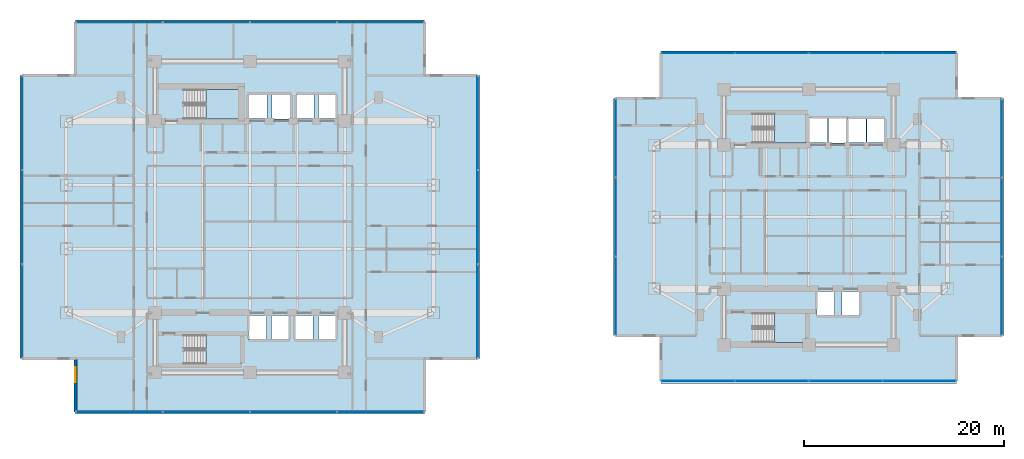
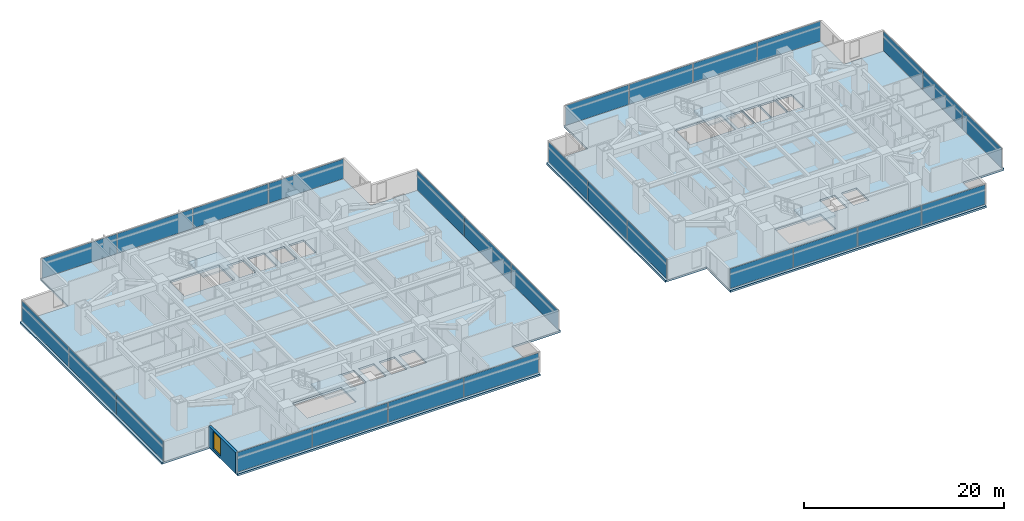
# One storey, part 13 of 26: 28 plates, 6 slabs, 1 wall, 1 window, 1 opening, 12 elements without a shape of their own.
"""IFC4 building model written with IfcOpenShell, lengths in metres."""

from ifc_helpers import new_model, si_unit, direction, frame, frame_2d, origin, origin_2d, place, context, subcontext, project, spatial, polyline, rectangle, outline, extrude, material, layer, layer_set, type_object, element, fill, aggregate, save


model = new_model("IFC4")

# Units and contexts
model_context = context("Model", 3, precision=1e-05, world=origin(), true_north=direction((0.0, 1.0)))
body_context = subcontext(model_context, "Body", "Model", "MODEL_VIEW")
ifc_project = project(units=[si_unit("LENGTHUNIT", "METRE"), si_unit("AREAUNIT", "SQUARE_METRE"), si_unit("VOLUMEUNIT", "CUBIC_METRE"), si_unit("PLANEANGLEUNIT", "RADIAN"), si_unit("MASSUNIT", "GRAM", prefix="KILO")], contexts=[model_context])

# Site, building, storey
site_placement = place(None, origin())
site = spatial("IfcSite", under=ifc_project, at=site_placement, CompositionType="ELEMENT")
building_placement = place(site_placement, origin())
building = spatial("IfcBuilding", under=site, at=building_placement, Name="Mirazonda Arch Towers", CompositionType="ELEMENT")
storey_placement = place(building_placement, frame((0.0, 0.0, 78.5)))
storey = spatial("IfcBuildingStorey", under=building, at=storey_placement, Name="L22", CompositionType="ELEMENT", Elevation=78.5)

# Curtain wall, plates
ifc_material_1 = material(Name="Anodised Aluminium and Low-E Glass", Category="aluminium")
curtain_wall_type = type_object("IfcCurtainWallType", Name="CW-HTL-UNIT", PredefinedType="NOTDEFINED", material=ifc_material_1)
curtain_wall_1_placement = place(storey_placement, origin())
curtain_wall_1 = element("IfcCurtainWall", 1, at=curtain_wall_1_placement, inside=storey, type_object=curtain_wall_type, Name="L22 T1 S Facade CW-L22-T1-S", PredefinedType="NOTDEFINED")
ifc_material_2 = material(Name="Insulated Low-E Solar Glass", Category="glass")
ifc_layer_1 = layer(ifc_material_2, 0.035888671875, Name="PAN-CW-HTL-UNIT")
ifc_layer_set_1 = layer_set([ifc_layer_1], Name="Insulated Low-E Solar Glass")
plate_type = type_object("IfcPlateType", Name="PAN-CW-HTL-UNIT", PredefinedType="CURTAIN_PANEL", material=ifc_layer_set_1)
plate_1_placement = place(storey_placement, frame((33.59130859375, 8.47607421875, 0.0751953125), z_axis=(0.0, 0.0, 1.0), x_axis=(-1.0, 0.0, 0.0)))
plate_1 = element("IfcPlate", 2, at=plate_1_placement, type_object=plate_type, Name="CW-112 panel 1.1", PredefinedType="CURTAIN_PANEL", context=body_context, shape_type="SweptSolid", body=[
    extrude(rectangle(XDim=8.62744140625, YDim=0.035888671875, at=origin_2d()), origin(), (0.0, 0.0, 1.0), 2.409912109375),
])
plate_2_placement = place(storey_placement, frame((24.8701171875, 8.47607421875, 0.0751953125), z_axis=(0.0, 0.0, 1.0), x_axis=(-1.0, 0.0, 0.0)))
plate_2 = element("IfcPlate", 3, at=plate_2_placement, type_object=plate_type, Name="CW-112 panel 2.1", PredefinedType="CURTAIN_PANEL", context=body_context, shape_type="SweptSolid", body=[
    extrude(rectangle(XDim=8.6650390625, YDim=0.035888671875, at=origin_2d()), origin(), (0.0, 0.0, 1.0), 2.409912109375),
])
plate_3_placement = place(storey_placement, frame((16.1298828125, 8.47607421875, 0.0751953125), z_axis=(0.0, 0.0, 1.0), x_axis=(-1.0, 0.0, 0.0)))
plate_3 = element("IfcPlate", 4, at=plate_3_placement, type_object=plate_type, Name="CW-112 panel 3.1", PredefinedType="CURTAIN_PANEL", context=body_context, shape_type="SweptSolid", body=[
    extrude(rectangle(XDim=8.6650390625, YDim=0.035888671875, at=origin_2d()), origin(), (0.0, 0.0, 1.0), 2.409912109375),
])
plate_4_placement = place(storey_placement, frame((7.40869140625, 8.47607421875, 0.0751953125), z_axis=(0.0, 0.0, 1.0), x_axis=(-1.0, 0.0, 0.0)))
plate_4 = element("IfcPlate", 5, at=plate_4_placement, type_object=plate_type, Name="CW-112 panel 4.1", PredefinedType="CURTAIN_PANEL", context=body_context, shape_type="SweptSolid", body=[
    extrude(rectangle(XDim=8.62744140625, YDim=0.035888671875, at=origin_2d()), origin(), (0.0, 0.0, 1.0), 2.409912109375),
])
aggregate(curtain_wall_1, [plate_1, plate_2, plate_3, plate_4])

curtain_wall_2_placement = place(storey_placement, origin())
curtain_wall_2 = element("IfcCurtainWall", 6, at=curtain_wall_2_placement, inside=storey, type_object=curtain_wall_type, Name="L22 T1 E Facade CW-L22-T1-E", PredefinedType="NOTDEFINED")
plate_5_placement = place(storey_placement, frame((43.320068359375, 18.562744140625, 0.0751953125), z_axis=(0.0, 0.0, 1.0), x_axis=(0.0, 1.0, 0.0)))
plate_5 = element("IfcPlate", 7, at=plate_5_placement, type_object=plate_type, Name="CW-112 panel 1.1", PredefinedType="CURTAIN_PANEL", context=body_context, shape_type="SweptSolid", body=[
    extrude(rectangle(XDim=9.343505859375, YDim=0.035888671875, at=origin_2d()), origin(), (0.0, 0.0, 1.0), 2.409912109375),
])
plate_6_placement = place(storey_placement, frame((43.320068359375, 28.0, 0.0751953125), z_axis=(0.0, 0.0, 1.0), x_axis=(0.0, 1.0, 0.0)))
plate_6 = element("IfcPlate", 8, at=plate_6_placement, type_object=plate_type, Name="CW-112 panel 2.1", PredefinedType="CURTAIN_PANEL", context=body_context, shape_type="SweptSolid", body=[
    extrude(rectangle(XDim=9.381103515625, YDim=0.035888671875, at=origin_2d()), origin(), (0.0, 0.0, 1.0), 2.409912109375),
])
plate_7_placement = place(storey_placement, frame((43.320068359375, 37.437255859375, 0.0751953125), z_axis=(0.0, 0.0, 1.0), x_axis=(0.0, 1.0, 0.0)))
plate_7 = element("IfcPlate", 9, at=plate_7_placement, type_object=plate_type, Name="CW-112 panel 3.1", PredefinedType="CURTAIN_PANEL", context=body_context, shape_type="SweptSolid", body=[
    extrude(rectangle(XDim=9.343505859375, YDim=0.035888671875, at=origin_2d()), origin(), (0.0, 0.0, 1.0), 2.409912109375),
])
aggregate(curtain_wall_2, [plate_5, plate_6, plate_7])

curtain_wall_3_placement = place(storey_placement, origin())
curtain_wall_3 = element("IfcCurtainWall", 10, at=curtain_wall_3_placement, inside=storey, type_object=curtain_wall_type, Name="L22 T1 N Facade CW-L22-T1-N", PredefinedType="NOTDEFINED")
plate_8_placement = place(storey_placement, frame((7.40869140625, 47.52392578125, 0.0751953125), z_axis=(0.0, 0.0, 1.0), x_axis=(1.0, 0.0, 0.0)))
plate_8 = element("IfcPlate", 11, at=plate_8_placement, type_object=plate_type, Name="CW-112 panel 1.1", PredefinedType="CURTAIN_PANEL", context=body_context, shape_type="SweptSolid", body=[
    extrude(rectangle(XDim=8.62744140625, YDim=0.035888671875, at=origin_2d()), origin(), (0.0, 0.0, 1.0), 2.409912109375),
])
plate_9_placement = place(storey_placement, frame((16.1298828125, 47.52392578125, 0.0751953125), z_axis=(0.0, 0.0, 1.0), x_axis=(1.0, 0.0, 0.0)))
plate_9 = element("IfcPlate", 12, at=plate_9_placement, type_object=plate_type, Name="CW-112 panel 2.1", PredefinedType="CURTAIN_PANEL", context=body_context, shape_type="SweptSolid", body=[
    extrude(rectangle(XDim=8.6650390625, YDim=0.035888671875, at=origin_2d()), origin(), (0.0, 0.0, 1.0), 2.409912109375),
])
plate_10_placement = place(storey_placement, frame((24.8701171875, 47.52392578125, 0.0751953125), z_axis=(0.0, 0.0, 1.0), x_axis=(1.0, 0.0, 0.0)))
plate_10 = element("IfcPlate", 13, at=plate_10_placement, type_object=plate_type, Name="CW-112 panel 3.1", PredefinedType="CURTAIN_PANEL", context=body_context, shape_type="SweptSolid", body=[
    extrude(rectangle(XDim=8.6650390625, YDim=0.035888671875, at=origin_2d()), origin(), (0.0, 0.0, 1.0), 2.409912109375),
])
plate_11_placement = place(storey_placement, frame((33.59130859375, 47.52392578125, 0.0751953125), z_axis=(0.0, 0.0, 1.0), x_axis=(1.0, 0.0, 0.0)))
plate_11 = element("IfcPlate", 14, at=plate_11_placement, type_object=plate_type, Name="CW-112 panel 4.1", PredefinedType="CURTAIN_PANEL", context=body_context, shape_type="SweptSolid", body=[
    extrude(rectangle(XDim=8.62744140625, YDim=0.035888671875, at=origin_2d()), origin(), (0.0, 0.0, 1.0), 2.409912109375),
])
aggregate(curtain_wall_3, [plate_8, plate_9, plate_10, plate_11])

curtain_wall_4_placement = place(storey_placement, origin())
curtain_wall_4 = element("IfcCurtainWall", 15, at=curtain_wall_4_placement, inside=storey, type_object=curtain_wall_type, Name="L22 T1 W Facade CW-L22-T1-W", PredefinedType="NOTDEFINED")
plate_12_placement = place(storey_placement, frame((-2.320068359375, 37.437255859375, 0.0751953125), z_axis=(0.0, 0.0, 1.0), x_axis=(0.0, -1.0, 0.0)))
plate_12 = element("IfcPlate", 16, at=plate_12_placement, type_object=plate_type, Name="CW-112 panel 1.1", PredefinedType="CURTAIN_PANEL", context=body_context, shape_type="SweptSolid", body=[
    extrude(rectangle(XDim=9.343505859375, YDim=0.035888671875, at=origin_2d()), origin(), (0.0, 0.0, 1.0), 2.409912109375),
])
plate_13_placement = place(storey_placement, frame((-2.320068359375, 28.0, 0.0751953125), z_axis=(0.0, 0.0, 1.0), x_axis=(0.0, -1.0, 0.0)))
plate_13 = element("IfcPlate", 17, at=plate_13_placement, type_object=plate_type, Name="CW-112 panel 2.1", PredefinedType="CURTAIN_PANEL", context=body_context, shape_type="SweptSolid", body=[
    extrude(rectangle(XDim=9.381103515625, YDim=0.035888671875, at=origin_2d()), origin(), (0.0, 0.0, 1.0), 2.409912109375),
])
plate_14_placement = place(storey_placement, frame((-2.320068359375, 18.562744140625, 0.0751953125), z_axis=(0.0, 0.0, 1.0), x_axis=(0.0, -1.0, 0.0)))
plate_14 = element("IfcPlate", 18, at=plate_14_placement, type_object=plate_type, Name="CW-112 panel 3.1", PredefinedType="CURTAIN_PANEL", context=body_context, shape_type="SweptSolid", body=[
    extrude(rectangle(XDim=9.343505859375, YDim=0.035888671875, at=origin_2d()), origin(), (0.0, 0.0, 1.0), 2.409912109375),
])
aggregate(curtain_wall_4, [plate_12, plate_13, plate_14])

curtain_wall_5_placement = place(storey_placement, origin())
curtain_wall_5 = element("IfcCurtainWall", 19, at=curtain_wall_5_placement, inside=storey, type_object=curtain_wall_type, Name="L22 T2 S Facade CW-L22-T2-S", PredefinedType="NOTDEFINED")
plate_15_placement = place(storey_placement, frame((87.579833984375, 11.5576171875, 0.0751953125), z_axis=(0.0, 0.0, 1.0), x_axis=(-1.0, 0.0, 0.0)))
plate_15 = element("IfcPlate", 20, at=plate_15_placement, type_object=plate_type, Name="CW-112 panel 1.1", PredefinedType="CURTAIN_PANEL", context=body_context, shape_type="SweptSolid", body=[
    extrude(rectangle(XDim=7.28662109375, YDim=0.035888671875, at=origin_2d()), origin(), (0.0, 0.0, 1.0), 2.409912109375),
])
plate_16_placement = place(storey_placement, frame((80.199462890625, 11.5576171875, 0.0751953125), z_axis=(0.0, 0.0, 1.0), x_axis=(-1.0, 0.0, 0.0)))
plate_16 = element("IfcPlate", 21, at=plate_16_placement, type_object=plate_type, Name="CW-112 panel 2.1", PredefinedType="CURTAIN_PANEL", context=body_context, shape_type="SweptSolid", body=[
    extrude(rectangle(XDim=7.323974609375, YDim=0.035888671875, at=origin_2d()), origin(), (0.0, 0.0, 1.0), 2.409912109375),
])
plate_17_placement = place(storey_placement, frame((72.800537109375, 11.5576171875, 0.0751953125), z_axis=(0.0, 0.0, 1.0), x_axis=(-1.0, 0.0, 0.0)))
plate_17 = element("IfcPlate", 22, at=plate_17_placement, type_object=plate_type, Name="CW-112 panel 3.1", PredefinedType="CURTAIN_PANEL", context=body_context, shape_type="SweptSolid", body=[
    extrude(rectangle(XDim=7.323974609375, YDim=0.035888671875, at=origin_2d()), origin(), (0.0, 0.0, 1.0), 2.409912109375),
])
plate_18_placement = place(storey_placement, frame((65.420166015625, 11.5576171875, 0.0751953125), z_axis=(0.0, 0.0, 1.0), x_axis=(-1.0, 0.0, 0.0)))
plate_18 = element("IfcPlate", 23, at=plate_18_placement, type_object=plate_type, Name="CW-112 panel 4.1", PredefinedType="CURTAIN_PANEL", context=body_context, shape_type="SweptSolid", body=[
    extrude(rectangle(XDim=7.28662109375, YDim=0.035888671875, at=origin_2d()), origin(), (0.0, 0.0, 1.0), 2.409912109375),
])
aggregate(curtain_wall_5, [plate_15, plate_16, plate_17, plate_18])

curtain_wall_6_placement = place(storey_placement, origin())
curtain_wall_6 = element("IfcCurtainWall", 24, at=curtain_wall_6_placement, inside=storey, type_object=curtain_wall_type, Name="L22 T2 E Facade CW-L22-T2-E", PredefinedType="NOTDEFINED")
plate_19_placement = place(storey_placement, frame((95.843994140625, 20.087890625, 0.0751953125), z_axis=(0.0, 0.0, 1.0), x_axis=(0.0, 1.0, 0.0)))
plate_19 = element("IfcPlate", 25, at=plate_19_placement, type_object=plate_type, Name="CW-112 panel 1.1", PredefinedType="CURTAIN_PANEL", context=body_context, shape_type="SweptSolid", body=[
    extrude(rectangle(XDim=7.818359375, YDim=0.035888671875, at=origin_2d()), origin(), (0.0, 0.0, 1.0), 2.409912109375),
])
plate_20_placement = place(storey_placement, frame((95.843994140625, 28.0, 0.0751953125), z_axis=(0.0, 0.0, 1.0), x_axis=(0.0, 1.0, 0.0)))
plate_20 = element("IfcPlate", 26, at=plate_20_placement, type_object=plate_type, Name="CW-112 panel 2.1", PredefinedType="CURTAIN_PANEL", context=body_context, shape_type="SweptSolid", body=[
    extrude(rectangle(XDim=7.85595703125, YDim=0.035888671875, at=origin_2d()), origin(), (0.0, 0.0, 1.0), 2.409912109375),
])
plate_21_placement = place(storey_placement, frame((95.843994140625, 35.912109375, 0.0751953125), z_axis=(0.0, 0.0, 1.0), x_axis=(0.0, 1.0, 0.0)))
plate_21 = element("IfcPlate", 27, at=plate_21_placement, type_object=plate_type, Name="CW-112 panel 3.1", PredefinedType="CURTAIN_PANEL", context=body_context, shape_type="SweptSolid", body=[
    extrude(rectangle(XDim=7.818359375, YDim=0.035888671875, at=origin_2d()), origin(), (0.0, 0.0, 1.0), 2.409912109375),
])
aggregate(curtain_wall_6, [plate_19, plate_20, plate_21])

curtain_wall_7_placement = place(storey_placement, origin())
curtain_wall_7 = element("IfcCurtainWall", 28, at=curtain_wall_7_placement, inside=storey, type_object=curtain_wall_type, Name="L22 T2 N Facade CW-L22-T2-N", PredefinedType="NOTDEFINED")
plate_22_placement = place(storey_placement, frame((65.420166015625, 44.4423828125, 0.0751953125), z_axis=(0.0, 0.0, 1.0), x_axis=(1.0, 0.0, 0.0)))
plate_22 = element("IfcPlate", 29, at=plate_22_placement, type_object=plate_type, Name="CW-112 panel 1.1", PredefinedType="CURTAIN_PANEL", context=body_context, shape_type="SweptSolid", body=[
    extrude(rectangle(XDim=7.28662109375, YDim=0.035888671875, at=origin_2d()), origin(), (0.0, 0.0, 1.0), 2.409912109375),
])
plate_23_placement = place(storey_placement, frame((72.800537109375, 44.4423828125, 0.0751953125), z_axis=(0.0, 0.0, 1.0), x_axis=(1.0, 0.0, 0.0)))
plate_23 = element("IfcPlate", 30, at=plate_23_placement, type_object=plate_type, Name="CW-112 panel 2.1", PredefinedType="CURTAIN_PANEL", context=body_context, shape_type="SweptSolid", body=[
    extrude(rectangle(XDim=7.323974609375, YDim=0.035888671875, at=origin_2d()), origin(), (0.0, 0.0, 1.0), 2.409912109375),
])
plate_24_placement = place(storey_placement, frame((80.199462890625, 44.4423828125, 0.0751953125), z_axis=(0.0, 0.0, 1.0), x_axis=(1.0, 0.0, 0.0)))
plate_24 = element("IfcPlate", 31, at=plate_24_placement, type_object=plate_type, Name="CW-112 panel 3.1", PredefinedType="CURTAIN_PANEL", context=body_context, shape_type="SweptSolid", body=[
    extrude(rectangle(XDim=7.323974609375, YDim=0.035888671875, at=origin_2d()), origin(), (0.0, 0.0, 1.0), 2.409912109375),
])
plate_25_placement = place(storey_placement, frame((87.579833984375, 44.4423828125, 0.0751953125), z_axis=(0.0, 0.0, 1.0), x_axis=(1.0, 0.0, 0.0)))
plate_25 = element("IfcPlate", 32, at=plate_25_placement, type_object=plate_type, Name="CW-112 panel 4.1", PredefinedType="CURTAIN_PANEL", context=body_context, shape_type="SweptSolid", body=[
    extrude(rectangle(XDim=7.28662109375, YDim=0.035888671875, at=origin_2d()), origin(), (0.0, 0.0, 1.0), 2.409912109375),
])
aggregate(curtain_wall_7, [plate_22, plate_23, plate_24, plate_25])

curtain_wall_8_placement = place(storey_placement, origin())
curtain_wall_8 = element("IfcCurtainWall", 33, at=curtain_wall_8_placement, inside=storey, type_object=curtain_wall_type, Name="L22 T2 W Facade CW-L22-T2-W", PredefinedType="NOTDEFINED")
plate_26_placement = place(storey_placement, frame((57.156005859375, 35.912109375, 0.0751953125), z_axis=(0.0, 0.0, 1.0), x_axis=(0.0, -1.0, 0.0)))
plate_26 = element("IfcPlate", 34, at=plate_26_placement, type_object=plate_type, Name="CW-112 panel 1.1", PredefinedType="CURTAIN_PANEL", context=body_context, shape_type="SweptSolid", body=[
    extrude(rectangle(XDim=7.818359375, YDim=0.035888671875, at=origin_2d()), origin(), (0.0, 0.0, 1.0), 2.409912109375),
])
plate_27_placement = place(storey_placement, frame((57.156005859375, 28.0, 0.0751953125), z_axis=(0.0, 0.0, 1.0), x_axis=(0.0, -1.0, 0.0)))
plate_27 = element("IfcPlate", 35, at=plate_27_placement, type_object=plate_type, Name="CW-112 panel 2.1", PredefinedType="CURTAIN_PANEL", context=body_context, shape_type="SweptSolid", body=[
    extrude(rectangle(XDim=7.85595703125, YDim=0.035888671875, at=origin_2d()), origin(), (0.0, 0.0, 1.0), 2.409912109375),
])
plate_28_placement = place(storey_placement, frame((57.156005859375, 20.087890625, 0.0751953125), z_axis=(0.0, 0.0, 1.0), x_axis=(0.0, -1.0, 0.0)))
plate_28 = element("IfcPlate", 36, at=plate_28_placement, type_object=plate_type, Name="CW-112 panel 3.1", PredefinedType="CURTAIN_PANEL", context=body_context, shape_type="SweptSolid", body=[
    extrude(rectangle(XDim=7.818359375, YDim=0.035888671875, at=origin_2d()), origin(), (0.0, 0.0, 1.0), 2.409912109375),
])
aggregate(curtain_wall_8, [plate_26, plate_27, plate_28])

# Stair, slab
ifc_material_3 = material(Name="Concrete C40/50", Category="concrete")
stair_type = type_object("IfcStairType", Name="STAIR-CORE-1400", PredefinedType="HALF_TURN_STAIR", material=ifc_material_3)
stair_1_placement = place(storey_placement, origin())
stair_1 = element("IfcStair", 37, at=stair_1_placement, inside=storey, type_object=stair_type, Name="L22 Protected Exit Stair ST-T1N", PredefinedType="HALF_TURN_STAIR")
ifc_layer_2 = layer(ifc_material_3, 0.18994140625, Name="SLAB-LANDING-190")
ifc_layer_set_2 = layer_set([ifc_layer_2], Name="Concrete C40/50")
slab_type_1 = type_object("IfcSlabType", Name="SLAB-LANDING-190", PredefinedType="LANDING", material=ifc_layer_set_2)
slab_1_placement = place(storey_placement, frame((0.0, 0.0, 1.449951171875)))
slab_1 = element("IfcSlab", 38, at=slab_1_placement, type_object=slab_type_1, Name="ST-T1N landing 1", PredefinedType="LANDING", context=body_context, shape_type="SweptSolid", body=[
    extrude(outline(polyline([(16.090087890625, 37.820068359375), (19.60009765625, 37.820068359375), (19.60009765625, 40.760009765625), (16.090087890625, 40.760009765625), (16.090087890625, 37.820068359375)])), origin(), (0.0, 0.0, 1.0), 0.199951171875),
])
aggregate(stair_1, [slab_1])

stair_2_placement = place(storey_placement, origin())
stair_2 = element("IfcStair", 39, at=stair_2_placement, inside=storey, type_object=stair_type, Name="L22 Protected Exit Stair ST-T1S", PredefinedType="HALF_TURN_STAIR")
slab_2_placement = place(storey_placement, frame((0.0, 0.0, 1.449951171875)))
slab_2 = element("IfcSlab", 40, at=slab_2_placement, type_object=slab_type_1, Name="ST-T1S landing 1", PredefinedType="LANDING", context=body_context, shape_type="SweptSolid", body=[
    extrude(outline(polyline([(16.090087890625, 13.25), (19.60009765625, 13.25), (19.60009765625, 16.18994140625), (16.090087890625, 16.18994140625), (16.090087890625, 13.25)])), origin(), (0.0, 0.0, 1.0), 0.199951171875),
])
aggregate(stair_2, [slab_2])

stair_3_placement = place(storey_placement, origin())
stair_3 = element("IfcStair", 41, at=stair_3_placement, inside=storey, type_object=stair_type, Name="L22 Protected Exit Stair ST-T2N", PredefinedType="HALF_TURN_STAIR")
slab_3_placement = place(storey_placement, frame((0.0, 0.0, 1.449951171875)))
slab_3 = element("IfcSlab", 42, at=slab_3_placement, type_object=slab_type_1, Name="ST-T2N landing 1", PredefinedType="LANDING", context=body_context, shape_type="SweptSolid", body=[
    extrude(outline(polyline([(73.090087890625, 35.419921875), (76.22998046875, 35.419921875), (76.22998046875, 38.360107421875), (73.090087890625, 38.360107421875), (73.090087890625, 35.419921875)])), origin(), (0.0, 0.0, 1.0), 0.199951171875),
])
aggregate(stair_3, [slab_3])

stair_4_placement = place(storey_placement, origin())
stair_4 = element("IfcStair", 43, at=stair_4_placement, inside=storey, type_object=stair_type, Name="L22 Protected Exit Stair ST-T2S", PredefinedType="HALF_TURN_STAIR")
slab_4_placement = place(storey_placement, frame((0.0, 0.0, 1.449951171875)))
slab_4 = element("IfcSlab", 44, at=slab_4_placement, type_object=slab_type_1, Name="ST-T2S landing 1", PredefinedType="LANDING", context=body_context, shape_type="SweptSolid", body=[
    extrude(outline(polyline([(73.090087890625, 15.419921875), (76.22998046875, 15.419921875), (76.22998046875, 18.360107421875), (73.090087890625, 18.360107421875), (73.090087890625, 15.419921875)])), origin(), (0.0, 0.0, 1.0), 0.199951171875),
])
aggregate(stair_4, [slab_4])

# Slabs
ifc_layer_3 = layer(ifc_material_3, 0.239990234375, Name="SLAB-TWR-240")
ifc_layer_set_3 = layer_set([ifc_layer_3], Name="Concrete C40/50")
slab_type_2 = type_object("IfcSlabType", Name="SLAB-TWR-240", PredefinedType="FLOOR", material=ifc_layer_set_3)
slab_5_placement = place(storey_placement, frame((0.0, 0.0, -0.239990234375)))
element("IfcSlab", 45, at=slab_5_placement, inside=storey, type_object=slab_type_2, Name="L22 Tower 1 Floor Slab", PredefinedType="FLOOR", context=body_context, shape_type="SweptSolid", body=[
    extrude(outline(polyline([(3.02001953125, 8.256103515625), (37.97998046875, 8.256103515625), (37.97998046875, 13.81591796875), (43.5400390625, 13.81591796875), (43.5400390625, 42.18408203125), (37.97998046875, 42.18408203125), (37.97998046875, 47.743896484375), (3.02001953125, 47.743896484375), (3.02001953125, 42.18408203125), (-2.5400390625, 42.18408203125), (-2.5400390625, 13.81591796875), (3.02001953125, 13.81591796875), (3.02001953125, 8.256103515625)]), holes=[polyline([(29.139892578125, 18.139892578125), (29.139892578125, 15.659912109375), (27.360107421875, 15.659912109375), (27.360107421875, 18.139892578125), (29.139892578125, 18.139892578125)]), polyline([(29.139892578125, 40.340087890625), (29.139892578125, 37.860107421875), (27.360107421875, 37.860107421875), (27.360107421875, 40.340087890625), (29.139892578125, 40.340087890625)]), polyline([(25.159912109375, 40.340087890625), (26.93994140625, 40.340087890625), (26.93994140625, 37.860107421875), (25.159912109375, 37.860107421875), (25.159912109375, 40.340087890625)]), polyline([(26.840087890625, 18.139892578125), (26.840087890625, 15.659912109375), (25.06005859375, 15.659912109375), (25.06005859375, 18.139892578125), (26.840087890625, 18.139892578125)]), polyline([(22.7099609375, 40.389892578125), (24.590087890625, 40.389892578125), (24.590087890625, 37.81005859375), (22.7099609375, 37.81005859375), (22.7099609375, 40.389892578125)]), polyline([(22.659912109375, 18.139892578125), (24.43994140625, 18.139892578125), (24.43994140625, 15.659912109375), (22.659912109375, 15.659912109375), (22.659912109375, 18.139892578125)]), polyline([(20.31005859375, 40.340087890625), (22.18994140625, 40.340087890625), (22.18994140625, 37.860107421875), (20.31005859375, 37.860107421875), (20.31005859375, 40.340087890625)]), polyline([(20.360107421875, 18.139892578125), (22.139892578125, 18.139892578125), (22.139892578125, 15.659912109375), (20.360107421875, 15.659912109375), (20.360107421875, 18.139892578125)]), polyline([(13.925048828125, 40.760009765625), (19.60009765625, 40.760009765625), (19.60009765625, 37.820068359375), (13.925048828125, 37.820068359375), (13.925048828125, 40.760009765625)]), polyline([(13.925048828125, 13.25), (13.925048828125, 16.18994140625), (19.60009765625, 16.18994140625), (19.60009765625, 13.25), (13.925048828125, 13.25)])]), origin(), (0.0, 0.0, 1.0), 0.239990234375),
])
slab_6_placement = place(storey_placement, frame((0.0, 0.0, -0.239990234375)))
element("IfcSlab", 46, at=slab_6_placement, inside=storey, type_object=slab_type_2, Name="L22 Tower 2 Floor Slab", PredefinedType="FLOOR", context=body_context, shape_type="SweptSolid", body=[
    extrude(outline(polyline([(61.701904296875, 11.337646484375), (91.298095703125, 11.337646484375), (91.298095703125, 16.103515625), (96.06396484375, 16.103515625), (96.06396484375, 39.896484375), (91.298095703125, 39.896484375), (91.298095703125, 44.662353515625), (61.701904296875, 44.662353515625), (61.701904296875, 39.896484375), (56.93603515625, 39.896484375), (56.93603515625, 16.103515625), (61.701904296875, 16.103515625), (61.701904296875, 11.337646484375)]), holes=[polyline([(82.330078125, 37.93994140625), (84.110107421875, 37.93994140625), (84.110107421875, 35.4599609375), (82.330078125, 35.4599609375), (82.330078125, 37.93994140625)]), polyline([(80.449951171875, 37.93994140625), (82.22998046875, 37.93994140625), (82.22998046875, 35.4599609375), (80.449951171875, 35.4599609375), (80.449951171875, 37.93994140625)]), polyline([(79.81005859375, 20.5400390625), (81.590087890625, 20.5400390625), (81.590087890625, 18.06005859375), (79.81005859375, 18.06005859375), (79.81005859375, 20.5400390625)]), polyline([(78.47998046875, 37.989990234375), (80.360107421875, 37.989990234375), (80.360107421875, 35.409912109375), (78.47998046875, 35.409912109375), (78.47998046875, 37.989990234375)]), polyline([(77.31005859375, 20.5400390625), (79.090087890625, 20.5400390625), (79.090087890625, 18.06005859375), (77.31005859375, 18.06005859375), (77.31005859375, 20.5400390625)]), polyline([(76.510009765625, 37.93994140625), (78.389892578125, 37.93994140625), (78.389892578125, 35.4599609375), (76.510009765625, 35.4599609375), (76.510009765625, 37.93994140625)]), polyline([(70.925048828125, 15.419921875), (70.925048828125, 18.360107421875), (76.22998046875, 18.360107421875), (76.22998046875, 15.419921875), (70.925048828125, 15.419921875)]), polyline([(70.925048828125, 35.419921875), (70.925048828125, 38.360107421875), (76.22998046875, 38.360107421875), (76.22998046875, 35.419921875), (70.925048828125, 35.419921875)])]), origin(), (0.0, 0.0, 1.0), 0.239990234375),
])

# Wall, opening, window
ifc_material_4 = material(Name="Precast Concrete C40/50", Category="concrete")
ifc_layer_4 = layer(ifc_material_4, 0.280029296875, Name="WALL-EXT-WALL-280")
ifc_layer_set_4 = layer_set([ifc_layer_4], Name="Precast Concrete C40/50")
wall_type = type_object("IfcWallType", Name="WALL-EXT-WALL-280", PredefinedType="SOLIDWALL", material=ifc_layer_set_4)
wall_placement = place(storey_placement, frame((3.02001953125, 13.81591796875, 0.0), z_axis=(0.0, 0.0, 1.0), x_axis=(0.0, -1.0, 0.0)))
wall = element("IfcWall", 47, at=wall_placement, inside=storey, type_object=wall_type, Name="L22 T1 Notched SW Corner Wall WL-L22-T1-CSW", PredefinedType="SOLIDWALL", context=body_context, shape_type="SweptSolid", body=[
    extrude(rectangle(XDim=5.33984375, YDim=0.280029296875, at=frame_2d((2.669921875, 0.0))), origin(), (0.0, 0.0, 1.0), 2.56005859375),
])
opening_placement = place(wall_placement, frame((0.85009765625, 0.0, 0.31005859375)))
opening = element("IfcOpeningElement", 48, at=opening_placement, cuts=wall, Name="Opening WN-120", PredefinedType="OPENING", context=body_context, shape_type="SweptSolid", body=[
    extrude(rectangle(XDim=1.5, YDim=2.10009765625, at=frame_2d((0.75, 1.050048828125))), frame((0.0, 0.14990234375, 0.0), z_axis=(0.0, -1.0, 0.0), x_axis=(1.0, 0.0, 0.0)), (0.0, 0.0, 1.0), 0.300048828125),
])
window_type = type_object("IfcWindowType", Name="WIN-HTL-1500x2100", PartitioningType="SINGLE_PANEL", PredefinedType="WINDOW", material=ifc_material_2)
window_placement = place(opening_placement, origin())
window = element("IfcWindow", 49, at=window_placement, inside=storey, type_object=window_type, Name="L22 Punched Facade Window WN-L22-T1-CSW", OverallHeight=2.10009765625, OverallWidth=1.5, PartitioningType="SINGLE_PANEL", PredefinedType="WINDOW", context=body_context, shape_type="SweptSolid", body=[
    extrude(rectangle(XDim=1.5, YDim=2.10009765625, at=frame_2d((0.75, 1.050048828125))), frame((0.0, 0.030029296875, 0.0), z_axis=(0.0, -1.0, 0.0), x_axis=(1.0, 0.0, 0.0)), (0.0, 0.0, 1.0), 0.06005859375),
])
fill(opening, window)

save(model, "model.ifc")
